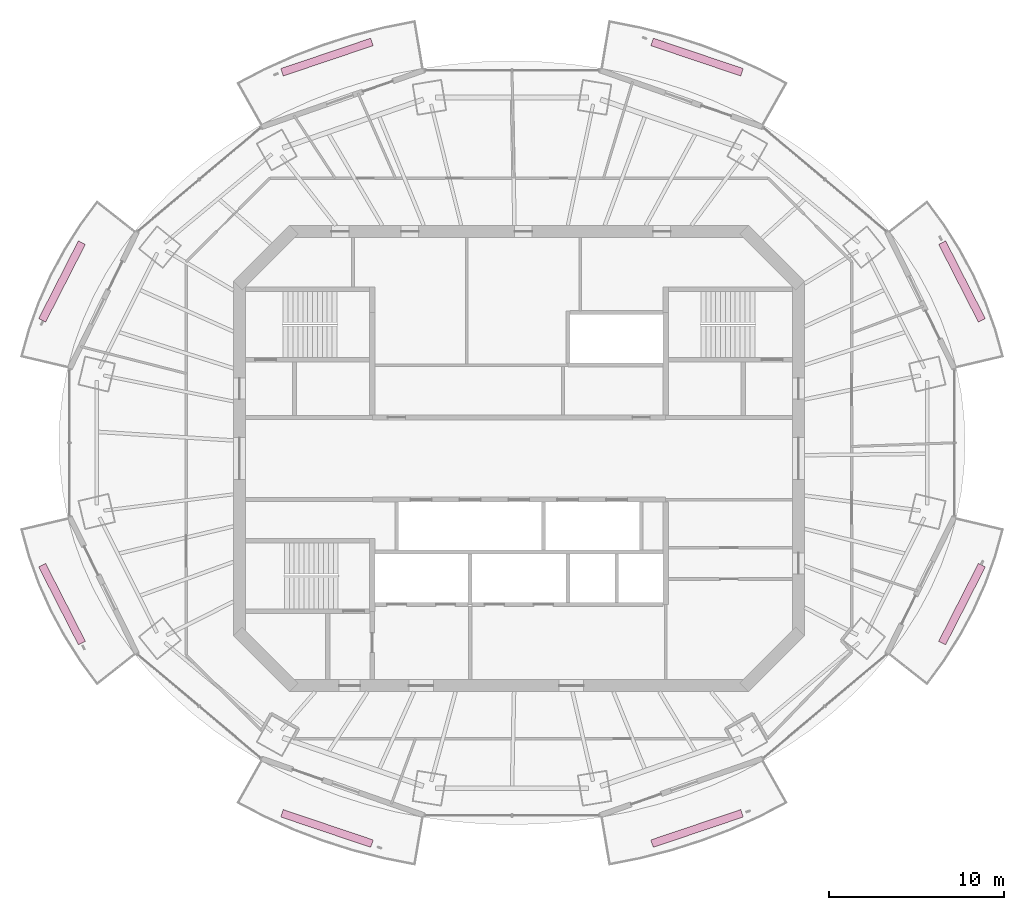
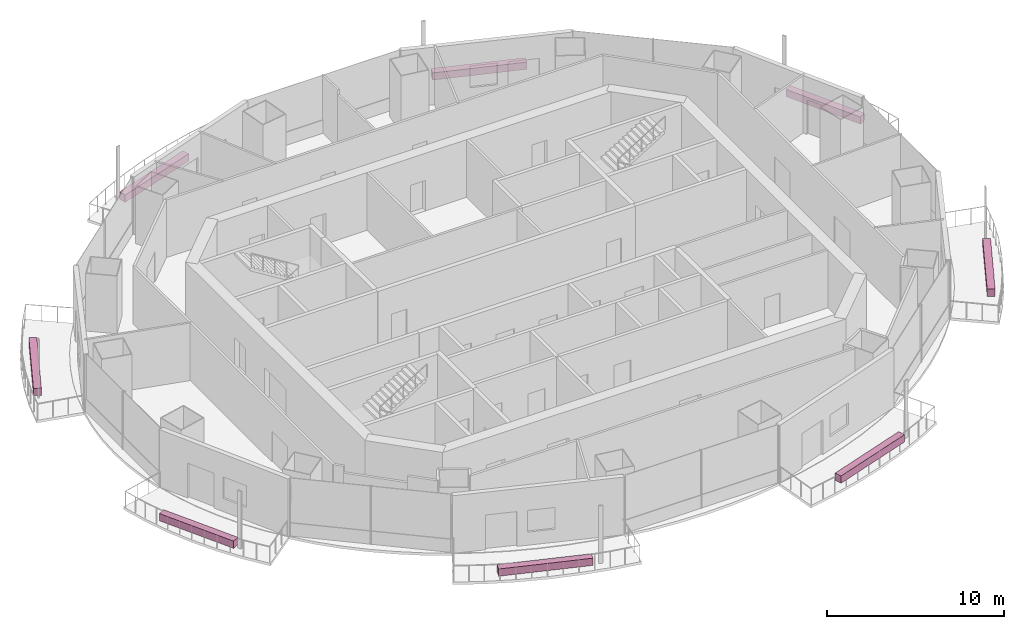
# One storey, part 16 of 16: 8 furnishings.
"""IFC4 building model written with IfcOpenShell, lengths in metres."""

import ifcopenshell
import ifcopenshell.guid

model = None  # the IFC model being written
_history = None  # IfcOwnerHistory: only IFC2X3 demands one
_inside = {}  # id of a spatial element -> (the spatial element, [elements in it])
_under = {}  # id of a project, library or spatial element -> (it, [spatial elements below it])
_declared = {}  # id of a project -> (the project, [libraries it declares])
_typed = {}  # id of a type object -> (the type object, [elements of that type])
_made_of = {}  # id of a material, layer set ... -> (it, [elements and type objects made of it])


def new_model(schema):
    """Start an empty IFC model of exactly this schema.

    Asked for "IFC4X3", IfcOpenShell would pick the latest addendum, in which some entities
    have other attributes; the version numbers below select the first issue.
    IFC2X3 requires an IfcOwnerHistory on every rooted entity: one is made here for all.
    """
    global model, _history
    if schema == "IFC4X3":
        model = ifcopenshell.file(schema_version=(4, 3, 0, 0))
    else:
        model = ifcopenshell.file(schema=schema)
    _inside.clear()
    _under.clear()
    _declared.clear()
    _typed.clear()
    _made_of.clear()
    _history = None
    if model.schema == "IFC2X3":
        org = make("IfcOrganization", Name="unknown")
        user = make(
            "IfcPersonAndOrganization",
            ThePerson=make("IfcPerson", FamilyName="unknown"),
            TheOrganization=org,
        )
        app = make(
            "IfcApplication",
            ApplicationDeveloper=org,
            Version="unknown",
            ApplicationFullName="unknown",
            ApplicationIdentifier="unknown",
        )
        _history = make(
            "IfcOwnerHistory",
            OwningUser=user,
            OwningApplication=app,
            ChangeAction="ADDED",
            CreationDate=0,
        )
    return model


def make(cls, **values):
    """One entity of the class cls with the attributes given. An attribute that is None is left unset."""
    return model.create_entity(
        cls, **{name: value for name, value in values.items() if value is not None}
    )


def rooted(cls, **values):
    """An entity with a GlobalId (a new one), such as an element, a storey or a relation."""
    return make(cls, GlobalId=ifcopenshell.guid.new(), OwnerHistory=_history, **values)


def si_unit(unit_type, name, prefix=None):
    """IfcSIUnit, for example si_unit("LENGTHUNIT", "METRE", prefix="MILLI")."""
    return make("IfcSIUnit", UnitType=unit_type, Prefix=prefix, Name=name)


def assignment(units):
    """IfcUnitAssignment: the units of a project."""
    return None if units is None else make("IfcUnitAssignment", Units=units)


def point(xyz):
    """IfcCartesianPoint."""
    return None if xyz is None else make("IfcCartesianPoint", Coordinates=xyz)


def direction(xyz):
    """IfcDirection."""
    return None if xyz is None else make("IfcDirection", DirectionRatios=xyz)


def frame(location, z_axis=None, x_axis=None):
    """IfcAxis2Placement3D, a coordinate frame: its origin and axes. An axis left out is left unset."""
    return make(
        "IfcAxis2Placement3D",
        Location=point(location),
        Axis=direction(z_axis),
        RefDirection=direction(x_axis),
    )


def frame_2d(location, x_axis=None):
    """IfcAxis2Placement2D, a coordinate frame in the plane: its origin and x axis."""
    return make(
        "IfcAxis2Placement2D", Location=point(location), RefDirection=direction(x_axis)
    )


def origin():
    """The frame at (0, 0, 0) with its axes left unset."""
    return frame((0.0, 0.0, 0.0))


def origin_2d():
    """The frame at (0, 0) in the plane with its x axis left unset."""
    return frame_2d((0.0, 0.0))


def place(relative_to, where):
    """IfcLocalPlacement: puts the frame where relative to a parent placement (None: the world)."""
    return make(
        "IfcLocalPlacement", PlacementRelTo=relative_to, RelativePlacement=where
    )


def context(
    kind, dimensions, precision=None, world=None, true_north=None, identifier=None
):
    """IfcGeometricRepresentationContext, for example the 3D "Model" context."""
    return make(
        "IfcGeometricRepresentationContext",
        ContextIdentifier=identifier,
        ContextType=kind,
        CoordinateSpaceDimension=dimensions,
        Precision=precision,
        WorldCoordinateSystem=world,
        TrueNorth=true_north,
    )


def subcontext(parent, identifier, kind, view, scale=None):
    """IfcGeometricRepresentationSubContext, for example "Body" below "Model"."""
    return make(
        "IfcGeometricRepresentationSubContext",
        ContextIdentifier=identifier,
        ContextType=kind,
        ParentContext=parent,
        TargetScale=scale,
        TargetView=view,
    )


def project(units=None, contexts=None):
    """IfcProject with its units and contexts."""
    return rooted(
        "IfcProject",
        Name="project",
        RepresentationContexts=contexts,
        UnitsInContext=assignment(units),
    )


def spatial(cls, under=None, at=None, **own):
    """A site, building, storey or space (cls), placed at a placement, below another one or the project."""
    s = rooted(cls, ObjectPlacement=at, **own)
    if under is not None:
        _under.setdefault(under.id(), (under, []))[1].append(s)
    return s


def profile(cls, at=None, kind="AREA", **sizes):
    """A parametric profile (cls). Its sizes go by their IFC names, for example OverallWidth=200.0."""
    return make(cls, ProfileType=kind, Position=at, **sizes)


def rectangle(**sizes):
    """IfcRectangleProfileDef."""
    return profile("IfcRectangleProfileDef", **sizes)


def extrude(swept, where, along, depth):
    """IfcExtrudedAreaSolid: the profile swept, set in the frame where, extruded along a direction by depth."""
    return make(
        "IfcExtrudedAreaSolid",
        SweptArea=swept,
        Position=where,
        ExtrudedDirection=direction(along),
        Depth=depth,
    )


def shape(context_of_items, identifier, shape_type, items):
    """IfcShapeRepresentation: the items that make up one representation, for example the "Body"."""
    return make(
        "IfcShapeRepresentation",
        ContextOfItems=context_of_items,
        RepresentationIdentifier=identifier,
        RepresentationType=shape_type,
        Items=items,
    )


def material(Name=None, Category=None):
    """IfcMaterial."""
    return make("IfcMaterial", Name=Name, Category=Category)


def made_of(thing, what):
    """Note that an element or type object is made of a material, layer set ...; save() writes the relation."""
    if what is not None:
        _made_of.setdefault(what.id(), (what, []))[1].append(thing)
    return thing


def type_object(cls, material=None, **own):
    """A type object (cls), such as IfcWallType, which elements share."""
    return made_of(rooted(cls, **own), material)


def element(
    cls,
    number,
    at=None,
    inside=None,
    cuts=None,
    type_object=None,
    material=None,
    context=None,
    identifier="Body",
    shape_type=None,
    held_by="IfcProductDefinitionShape",
    body=None,
    shapes=None,
    **own,
):
    """One element of the class cls, such as IfcWall. Its Tag is "e" and its number.

    at: its placement. inside: the storey or other place that contains it. cuts: it is an
    opening in that element (IfcRelVoidsElement). A single representation is given by context,
    identifier, shape_type and body (its items); several are given by shapes. held_by: the class
    of the entity that holds the representations. save() writes the other relations.
    """
    e = rooted(cls, Tag="e%d" % number, ObjectPlacement=at, **own)
    if body is not None:
        shapes = [shape(context, identifier, shape_type, body)]
    if shapes is not None:
        e.Representation = make(held_by, Representations=shapes)
    if inside is not None:
        _inside.setdefault(inside.id(), (inside, []))[1].append(e)
    if cuts is not None:
        rooted(
            "IfcRelVoidsElement", RelatingBuildingElement=cuts, RelatedOpeningElement=e
        )
    if type_object is not None:
        _typed.setdefault(type_object.id(), (type_object, []))[1].append(e)
    return made_of(e, material)


def aggregate(whole, parts):
    """IfcRelAggregates: a whole, such as a stair, and the parts it consists of."""
    return rooted("IfcRelAggregates", RelatingObject=whole, RelatedObjects=parts)


def save(model, path):
    """Write the relations noted so far, then the file.

    IfcRelAggregates (storeys below a building ...), IfcRelContainedInSpatialStructure (elements
    in a storey), IfcRelDefinesByType, IfcRelAssociatesMaterial and IfcRelDeclares: one each for
    every whole, place, type object, material and project.
    """
    for whole, parts in _under.values():
        aggregate(whole, parts)
    for where, things in _inside.values():
        rooted(
            "IfcRelContainedInSpatialStructure",
            RelatedElements=things,
            RelatingStructure=where,
        )
    for kind, things in _typed.values():
        rooted("IfcRelDefinesByType", RelatedObjects=things, RelatingType=kind)
    for what, things in _made_of.values():
        rooted("IfcRelAssociatesMaterial", RelatedObjects=things, RelatingMaterial=what)
    for by, libraries in _declared.values():
        rooted("IfcRelDeclares", RelatingContext=by, RelatedDefinitions=libraries)
    model.write(path)


model = new_model("IFC4")

# Units and contexts
model_context = context("Model", 3, precision=1e-05, world=origin(), true_north=direction((0.0, 1.0)))
body_context = subcontext(model_context, "Body", "Model", "MODEL_VIEW")
ifc_project = project(units=[si_unit("LENGTHUNIT", "METRE"), si_unit("AREAUNIT", "SQUARE_METRE"), si_unit("VOLUMEUNIT", "CUBIC_METRE"), si_unit("PLANEANGLEUNIT", "RADIAN"), si_unit("MASSUNIT", "GRAM", prefix="KILO")], contexts=[model_context])

# Site, building, storey
site_placement = place(None, origin())
site = spatial("IfcSite", under=ifc_project, at=site_placement, CompositionType="ELEMENT")
building_placement = place(site_placement, origin())
building = spatial("IfcBuilding", under=site, at=building_placement, Name="Marenthal Gate Tower", CompositionType="ELEMENT")
storey_placement = place(building_placement, frame((0.0, 0.0, 375.800048828125)))
storey = spatial("IfcBuildingStorey", under=building, at=storey_placement, Name="L85", CompositionType="ELEMENT", Elevation=375.800048828125)

# Furnishings
ifc_material = material(Name="Planting soil and foliage", Category="planting")
furnishing_element_type = type_object("IfcFurnishingElementType", Name="Balcony PLANTER trough", material=ifc_material)
furnishing_1_placement = place(storey_placement, frame((25.36328125, 10.136474609375, -0.0400390625), z_axis=(0.0, 0.0, 1.0), x_axis=(-0.454653975837, 0.890668154958, 0.0)))
element("IfcFurnishingElement", 1, at=furnishing_1_placement, inside=storey, type_object=furnishing_element_type, Name="Balcony PLANTER L85 bay 1", ObjectType="PLANTER", context=body_context, shape_type="SweptSolid", body=[
    extrude(rectangle(XDim=5.000244140625, YDim=0.449951171875, at=origin_2d()), origin(), (0.0, 0.0, 1.0), 0.5),
])
for number, where, z_axis, x_axis, name in (
    (2, (10.193115234375, 22.9814453125, -0.0400390625), (0.0, 0.0, 1.0), (-0.947516023318, 0.319708281963, 0.0), "Balcony PLANTER L85 bay 3"),
    (3, (-10.9931640625, 22.9814453125, -0.0400390625), (0.0, 0.0, 1.0), (-0.947516023318, -0.319708281963, 0.0), "Balcony PLANTER L85 bay 5"),
):
    element("IfcFurnishingElement", number, at=place(storey_placement, frame(where, z_axis=z_axis, x_axis=x_axis)), inside=storey, type_object=furnishing_element_type, Name=name, ObjectType="PLANTER", context=body_context, shape_type="SweptSolid", body=[
        extrude(rectangle(XDim=5.435546875, YDim=0.449951171875, at=origin_2d()), origin(), (0.0, 0.0, 1.0), 0.5),
    ])
for number, where, z_axis, x_axis, name in (
    (4, (-26.163330078125, 10.136474609375, -0.0400390625), (0.0, 0.0, 1.0), (-0.454653975837, -0.890668154958, 0.0), "Balcony PLANTER L85 bay 7"),
    (5, (-26.163330078125, -8.33642578125, -0.0400390625), (0.0, 0.0, 1.0), (0.454653975837, -0.890668154958, 0.0), "Balcony PLANTER L85 bay 9"),
):
    element("IfcFurnishingElement", number, at=place(storey_placement, frame(where, z_axis=z_axis, x_axis=x_axis)), inside=storey, type_object=furnishing_element_type, Name=name, ObjectType="PLANTER", context=body_context, shape_type="SweptSolid", body=[
        extrude(rectangle(XDim=5.000244140625, YDim=0.449951171875, at=origin_2d()), origin(), (0.0, 0.0, 1.0), 0.5),
    ])
for number, where, z_axis, x_axis, name in (
    (6, (-10.9931640625, -21.181396484375, -0.0400390625), (0.0, 0.0, 1.0), (0.947516023318, -0.319708281963, 0.0), "Balcony PLANTER L85 bay 11"),
    (7, (10.193115234375, -21.181396484375, -0.0400390625), (0.0, 0.0, 1.0), (0.947516023318, 0.319708281963, 0.0), "Balcony PLANTER L85 bay 13"),
):
    element("IfcFurnishingElement", number, at=place(storey_placement, frame(where, z_axis=z_axis, x_axis=x_axis)), inside=storey, type_object=furnishing_element_type, Name=name, ObjectType="PLANTER", context=body_context, shape_type="SweptSolid", body=[
        extrude(rectangle(XDim=5.435546875, YDim=0.449951171875, at=origin_2d()), origin(), (0.0, 0.0, 1.0), 0.5),
    ])
furnishing_2_placement = place(storey_placement, frame((25.36328125, -8.33642578125, -0.0400390625), z_axis=(0.0, 0.0, 1.0), x_axis=(0.454653975837, 0.890668154958, 0.0)))
element("IfcFurnishingElement", 8, at=furnishing_2_placement, inside=storey, type_object=furnishing_element_type, Name="Balcony PLANTER L85 bay 15", ObjectType="PLANTER", context=body_context, shape_type="SweptSolid", body=[
    extrude(rectangle(XDim=5.000244140625, YDim=0.449951171875, at=origin_2d()), origin(), (0.0, 0.0, 1.0), 0.5),
])

save(model, "model.ifc")
